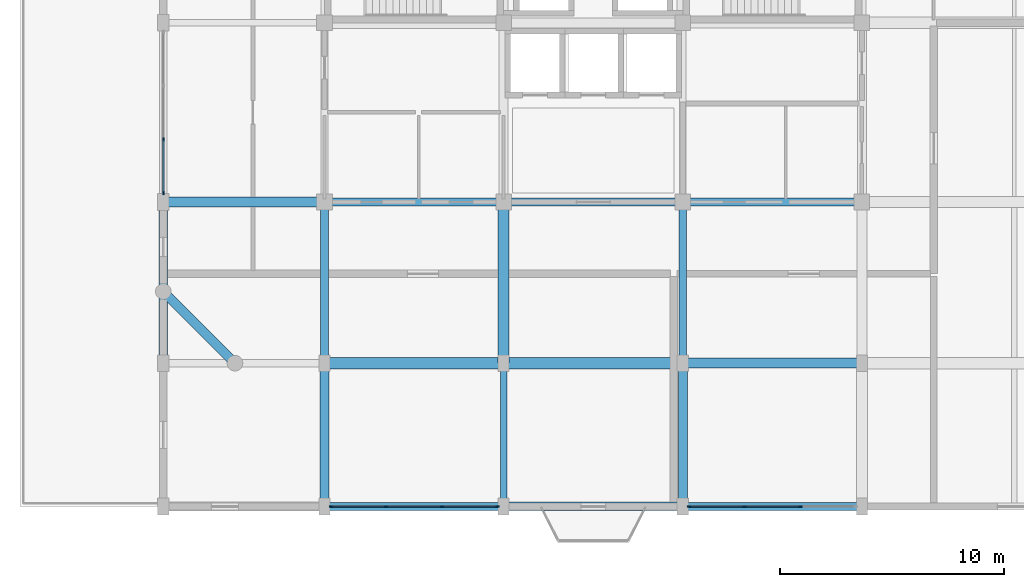
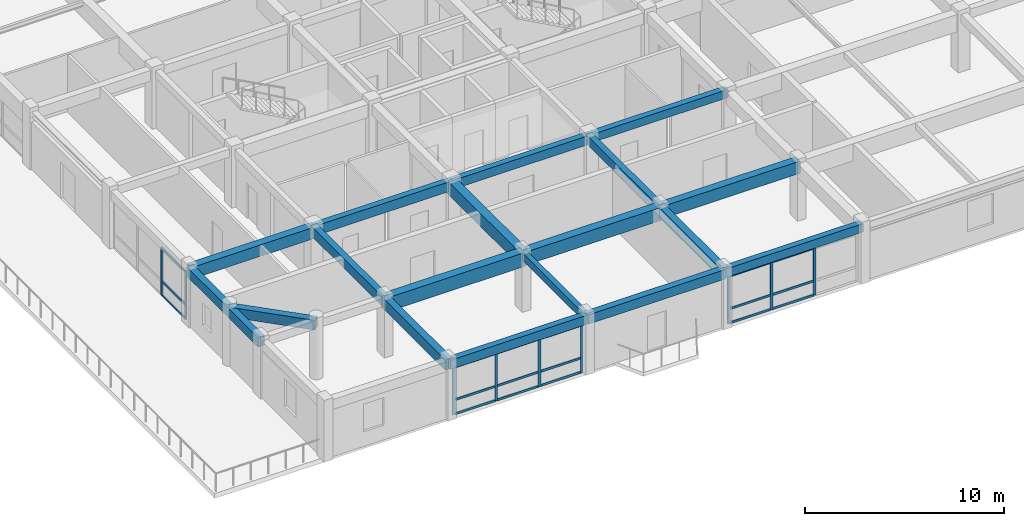
# One storey, part 2 of 13: 27 members, 18 beams, 3 elements without a shape of their own.
"""IFC4 building model written with IfcOpenShell, lengths in metres."""

from ifc_helpers import new_model, si_unit, direction, frame, origin, origin_2d, place, context, subcontext, project, spatial, rectangle, extrude, material, material_profile, profile_set, type_object, element, aggregate, save


model = new_model("IFC4")

# Units and contexts
model_context = context("Model", 3, precision=1e-05, world=origin(), true_north=direction((0.0, 1.0)))
body_context = subcontext(model_context, "Body", "Model", "MODEL_VIEW")
ifc_project = project(units=[si_unit("LENGTHUNIT", "METRE"), si_unit("AREAUNIT", "SQUARE_METRE"), si_unit("VOLUMEUNIT", "CUBIC_METRE"), si_unit("PLANEANGLEUNIT", "RADIAN"), si_unit("MASSUNIT", "GRAM", prefix="KILO")], contexts=[model_context])

# Site, building, storey
site_placement = place(None, origin())
site = spatial("IfcSite", under=ifc_project, at=site_placement, CompositionType="ELEMENT")
building_placement = place(site_placement, origin())
building = spatial("IfcBuilding", under=site, at=building_placement, Name="Vellmiral Cinema and Media Centre", CompositionType="ELEMENT")
storey_placement = place(building_placement, frame((0.0, 0.0, 39.5)))
storey = spatial("IfcBuildingStorey", under=building, at=storey_placement, Name="L09", CompositionType="ELEMENT", Elevation=39.5)

# Beams
ifc_material_1 = material(Name="Concrete C40/50", Category="concrete")
ifc_material_profile_1 = material_profile(ifc_material_1, rectangle(XDim=0.300048828125, YDim=0.449951171875, at=origin_2d()), Name="RC 300x450")
ifc_profile_set_1 = profile_set([ifc_material_profile_1], Name="Concrete C40/50")
beam_type_1 = type_object("IfcBeamType", Name="BM-RC-300x450", PredefinedType="BEAM", material=ifc_profile_set_1)
beam_1_placement = place(storey_placement, frame((132.0, 65.60009765625, 3.31005859375), z_axis=(0.0, 1.0, 0.0), x_axis=(-1.0, 0.0, 0.0)))
element("IfcBeam", 1, at=beam_1_placement, inside=storey, type_object=beam_type_1, Name="Grid Beam L09-Y054", PredefinedType="BEAM", context=body_context, shape_type="SweptSolid", body=[
    extrude(rectangle(XDim=0.300048828125, YDim=0.449951171875, at=origin_2d()), origin(), (0.0, 0.0, 1.0), 6.39990234375),
])
ifc_material_2 = material(Name="Concrete C40/50", Category="concrete")
ifc_material_profile_2 = material_profile(ifc_material_2, rectangle(XDim=0.35009765625, YDim=0.5, at=origin_2d()), Name="RC 350x500")
ifc_profile_set_2 = profile_set([ifc_material_profile_2], Name="Concrete C40/50")
beam_type_2 = type_object("IfcBeamType", Name="BM-RC-350x500", PredefinedType="BEAM", material=ifc_profile_set_2)
beam_2_placement = place(storey_placement, frame((140.0, 79.199951171875, 3.284912109375), z_axis=(1.0, 0.0, 0.0), x_axis=(0.0, 1.0, 0.0)))
element("IfcBeam", 2, at=beam_2_placement, inside=storey, type_object=beam_type_2, Name="Grid Beam L09-X016", PredefinedType="BEAM", context=body_context, shape_type="SweptSolid", body=[
    extrude(rectangle(XDim=0.35009765625, YDim=0.5, at=origin_2d()), origin(), (0.0, 0.0, 1.0), 8.0),
])
ifc_material_3 = material(Name="Concrete C40/50", Category="concrete")
ifc_material_profile_3 = material_profile(ifc_material_3, rectangle(XDim=0.35009765625, YDim=0.550048828125, at=origin_2d()), Name="RC 350x550")
ifc_profile_set_3 = profile_set([ifc_material_profile_3], Name="Concrete C40/50")
beam_type_3 = type_object("IfcBeamType", Name="BM-RC-350x550", PredefinedType="BEAM", material=ifc_profile_set_3)
beam_3_placement = place(storey_placement, frame((132.0, 79.199951171875, 3.260009765625), z_axis=(1.0, 0.0, 0.0), x_axis=(0.0, 1.0, 0.0)))
element("IfcBeam", 3, at=beam_3_placement, inside=storey, type_object=beam_type_3, Name="Grid Beam L09-X015", PredefinedType="BEAM", context=body_context, shape_type="SweptSolid", body=[
    extrude(rectangle(XDim=0.35009765625, YDim=0.550048828125, at=origin_2d()), origin(), (0.0, 0.0, 1.0), 8.0),
])
beam_4_placement = place(storey_placement, frame((140.0, 72.0, 3.260009765625), z_axis=(0.0, 1.0, 0.0), x_axis=(-1.0, 0.0, 0.0)))
element("IfcBeam", 4, at=beam_4_placement, inside=storey, type_object=beam_type_3, Name="Grid Beam L09-Y061", PredefinedType="BEAM", context=body_context, shape_type="SweptSolid", body=[
    extrude(rectangle(XDim=0.35009765625, YDim=0.550048828125, at=origin_2d()), origin(), (0.0, 0.0, 1.0), 7.199951171875),
])
ifc_material_4 = material(Name="Concrete C40/50", Category="concrete")
ifc_material_profile_4 = material_profile(ifc_material_4, rectangle(XDim=0.35009765625, YDim=0.60009765625, at=origin_2d()), Name="RC 350x600")
ifc_profile_set_4 = profile_set([ifc_material_profile_4], Name="Concrete C40/50")
beam_type_4 = type_object("IfcBeamType", Name="BM-RC-350x600", PredefinedType="BEAM", material=ifc_profile_set_4)
beam_5_placement = place(storey_placement, frame((124.0, 79.199951171875, 3.235107421875), z_axis=(1.0, 0.0, 0.0), x_axis=(0.0, 1.0, 0.0)))
element("IfcBeam", 5, at=beam_5_placement, inside=storey, type_object=beam_type_4, Name="Grid Beam L09-X014", PredefinedType="BEAM", context=body_context, shape_type="SweptSolid", body=[
    extrude(rectangle(XDim=0.35009765625, YDim=0.60009765625, at=origin_2d()), origin(), (0.0, 0.0, 1.0), 8.0),
])
beam_6_placement = place(storey_placement, frame((124.0, 72.0, 3.235107421875), z_axis=(0.0, 1.0, 0.0), x_axis=(-1.0, 0.0, 0.0)))
element("IfcBeam", 6, at=beam_6_placement, inside=storey, type_object=beam_type_4, Name="Grid Beam L09-Y049", PredefinedType="BEAM", context=body_context, shape_type="SweptSolid", body=[
    extrude(rectangle(XDim=0.35009765625, YDim=0.60009765625, at=origin_2d()), origin(), (0.0, 0.0, 1.0), 7.199951171875),
])
ifc_material_5 = material(Name="Concrete C40/50", Category="concrete")
ifc_material_profile_5 = material_profile(ifc_material_5, rectangle(XDim=0.39990234375, YDim=0.60009765625, at=origin_2d()), Name="RC 400x600")
ifc_profile_set_5 = profile_set([ifc_material_profile_5], Name="Concrete C40/50")
beam_type_5 = type_object("IfcBeamType", Name="BM-RC-400x600", PredefinedType="BEAM", material=ifc_profile_set_5)
beam_7_placement = place(storey_placement, frame((140.0, 65.60009765625, 3.235107421875), z_axis=(0.0, 1.0, 0.0), x_axis=(-1.0, 0.0, 0.0)))
element("IfcBeam", 7, at=beam_7_placement, inside=storey, type_object=beam_type_5, Name="Grid Beam L09-Y060", PredefinedType="BEAM", context=body_context, shape_type="SweptSolid", body=[
    extrude(rectangle(XDim=0.39990234375, YDim=0.60009765625, at=origin_2d()), origin(), (0.0, 0.0, 1.0), 6.39990234375),
])
ifc_material_6 = material(Name="Concrete C40/50", Category="concrete")
ifc_material_profile_6 = material_profile(ifc_material_6, rectangle(XDim=0.39990234375, YDim=0.64990234375, at=origin_2d()), Name="RC 400x650")
ifc_profile_set_6 = profile_set([ifc_material_profile_6], Name="Concrete C40/50")
beam_type_6 = type_object("IfcBeamType", Name="BM-RC-400x650", PredefinedType="BEAM", material=ifc_profile_set_6)
beam_8_placement = place(storey_placement, frame((124.0, 65.60009765625, 3.2099609375), z_axis=(0.0, 1.0, 0.0), x_axis=(-1.0, 0.0, 0.0)))
element("IfcBeam", 8, at=beam_8_placement, inside=storey, type_object=beam_type_6, Name="Grid Beam L09-Y048", PredefinedType="BEAM", context=body_context, shape_type="SweptSolid", body=[
    extrude(rectangle(XDim=0.39990234375, YDim=0.64990234375, at=origin_2d()), origin(), (0.0, 0.0, 1.0), 6.39990234375),
])
ifc_material_7 = material(Name="Concrete C40/50", Category="concrete")
ifc_material_profile_7 = material_profile(ifc_material_7, rectangle(XDim=0.449951171875, YDim=0.699951171875, at=origin_2d()), Name="RC 450x700")
ifc_profile_set_7 = profile_set([ifc_material_profile_7], Name="Concrete C40/50")
beam_type_7 = type_object("IfcBeamType", Name="BM-RC-450x700", PredefinedType="BEAM", material=ifc_profile_set_7)
beam_9_placement = place(storey_placement, frame((116.800048828125, 79.199951171875, 3.18505859375), z_axis=(1.0, 0.0, 0.0), x_axis=(0.0, 1.0, 0.0)))
element("IfcBeam", 9, at=beam_9_placement, inside=storey, type_object=beam_type_7, Name="Grid Beam L09-X013", PredefinedType="BEAM", context=body_context, shape_type="SweptSolid", body=[
    extrude(rectangle(XDim=0.449951171875, YDim=0.699951171875, at=origin_2d()), origin(), (0.0, 0.0, 1.0), 7.199951171875),
])
ifc_material_8 = material(Name="Concrete C40/50", Category="concrete")
ifc_material_profile_8 = material_profile(ifc_material_8, rectangle(XDim=0.449951171875, YDim=0.75, at=origin_2d()), Name="RC 450x750")
ifc_profile_set_8 = profile_set([ifc_material_profile_8], Name="Concrete C40/50")
beam_type_8 = type_object("IfcBeamType", Name="BM-RC-450x750", PredefinedType="BEAM", material=ifc_profile_set_8)
beam_10_placement = place(storey_placement, frame((140.0, 72.0, 3.159912109375), z_axis=(1.0, 0.0, 0.0), x_axis=(0.0, 1.0, 0.0)))
element("IfcBeam", 10, at=beam_10_placement, inside=storey, type_object=beam_type_8, Name="Grid Beam L09-X010", PredefinedType="BEAM", context=body_context, shape_type="SweptSolid", body=[
    extrude(rectangle(XDim=0.449951171875, YDim=0.75, at=origin_2d()), origin(), (0.0, 0.0, 1.0), 8.0),
])
ifc_material_9 = material(Name="Concrete C40/50", Category="concrete")
ifc_material_profile_9 = material_profile(ifc_material_9, rectangle(XDim=0.5, YDim=0.800048828125, at=origin_2d()), Name="RC 500x800")
ifc_profile_set_9 = profile_set([ifc_material_profile_9], Name="Concrete C40/50")
beam_type_9 = type_object("IfcBeamType", Name="BM-RC-500x800", PredefinedType="BEAM", material=ifc_profile_set_9)
beam_11_placement = place(storey_placement, frame((132.0, 72.0, 3.135009765625), z_axis=(1.0, 0.0, 0.0), x_axis=(0.0, 1.0, 0.0)))
element("IfcBeam", 11, at=beam_11_placement, inside=storey, type_object=beam_type_9, Name="Grid Beam L09-X009", PredefinedType="BEAM", context=body_context, shape_type="SweptSolid", body=[
    extrude(rectangle(XDim=0.5, YDim=0.800048828125, at=origin_2d()), origin(), (0.0, 0.0, 1.0), 8.0),
])
beam_12_placement = place(storey_placement, frame((132.0, 72.0, 3.135009765625), z_axis=(0.0, 1.0, 0.0), x_axis=(-1.0, 0.0, 0.0)))
element("IfcBeam", 12, at=beam_12_placement, inside=storey, type_object=beam_type_9, Name="Grid Beam L09-Y055", PredefinedType="BEAM", context=body_context, shape_type="SweptSolid", body=[
    extrude(rectangle(XDim=0.5, YDim=0.800048828125, at=origin_2d()), origin(), (0.0, 0.0, 1.0), 7.199951171875),
])
ifc_material_10 = material(Name="Concrete C40/50", Category="concrete")
ifc_material_profile_10 = material_profile(ifc_material_10, rectangle(XDim=0.5, YDim=0.85009765625, at=origin_2d()), Name="RC 500x850")
ifc_profile_set_10 = profile_set([ifc_material_profile_10], Name="Concrete C40/50")
beam_type_10 = type_object("IfcBeamType", Name="BM-RC-500x850", PredefinedType="BEAM", material=ifc_profile_set_10)
beam_13_placement = place(storey_placement, frame((124.0, 72.0, 3.110107421875), z_axis=(1.0, 0.0, 0.0), x_axis=(0.0, 1.0, 0.0)))
element("IfcBeam", 13, at=beam_13_placement, inside=storey, type_object=beam_type_10, Name="Grid Beam L09-X008", PredefinedType="BEAM", context=body_context, shape_type="SweptSolid", body=[
    extrude(rectangle(XDim=0.5, YDim=0.85009765625, at=origin_2d()), origin(), (0.0, 0.0, 1.0), 8.0),
])

# Curtain wall, members
ifc_material_11 = material(Name="Thermally Broken Aluminium and Triple Glazing", Category="aluminium")
curtain_wall_type_1 = type_object("IfcCurtainWallType", Name="CW-TOWER-MID-E", PredefinedType="USERDEFINED", material=ifc_material_11)
curtain_wall_1_placement = place(storey_placement, origin())
curtain_wall_1 = element("IfcCurtainWall", 14, at=curtain_wall_1_placement, inside=storey, type_object=curtain_wall_type_1, Name="Curtain Wall L09-B002", ObjectType="UNITISED CURTAIN WALL", PredefinedType="USERDEFINED")
ifc_material_12 = material(Name="Thermally Broken Anodised Aluminium", Category="aluminium")
ifc_material_profile_11 = material_profile(ifc_material_12, rectangle(XDim=0.06494140625, YDim=0.159912109375, at=origin_2d()), Name="MULL 65x160")
ifc_profile_set_11 = profile_set([ifc_material_profile_11], Name="Thermally Broken Anodised Aluminium")
member_type_1 = type_object("IfcMemberType", Name="CWM-65x160", PredefinedType="MULLION", material=ifc_profile_set_11)
member_1_placement = place(storey_placement, frame((124.282470703125, 65.60009765625, 0.0), z_axis=(0.0, 0.0, 1.0), x_axis=(0.0, 1.0, 0.0)))
member_1 = element("IfcMember", 15, at=member_1_placement, type_object=member_type_1, Name="CW-07 mullion 1", PredefinedType="MULLION", context=body_context, shape_type="SweptSolid", body=[
    extrude(rectangle(XDim=0.06494140625, YDim=0.159912109375, at=origin_2d()), origin(), (0.0, 0.0, 1.0), 2.93994140625),
])
member_2_placement = place(storey_placement, frame((126.75, 65.60009765625, 0.0), z_axis=(0.0, 0.0, 1.0), x_axis=(0.0, 1.0, 0.0)))
member_2 = element("IfcMember", 16, at=member_2_placement, type_object=member_type_1, Name="CW-07 mullion 2", PredefinedType="MULLION", context=body_context, shape_type="SweptSolid", body=[
    extrude(rectangle(XDim=0.06494140625, YDim=0.159912109375, at=origin_2d()), origin(), (0.0, 0.0, 1.0), 2.93994140625),
])
member_3_placement = place(storey_placement, frame((129.25, 65.60009765625, 0.0), z_axis=(0.0, 0.0, 1.0), x_axis=(0.0, 1.0, 0.0)))
member_3 = element("IfcMember", 17, at=member_3_placement, type_object=member_type_1, Name="CW-07 mullion 3", PredefinedType="MULLION", context=body_context, shape_type="SweptSolid", body=[
    extrude(rectangle(XDim=0.06494140625, YDim=0.159912109375, at=origin_2d()), origin(), (0.0, 0.0, 1.0), 2.93994140625),
])
member_4_placement = place(storey_placement, frame((131.717529296875, 65.60009765625, 0.0), z_axis=(0.0, 0.0, 1.0), x_axis=(0.0, 1.0, 0.0)))
member_4 = element("IfcMember", 18, at=member_4_placement, type_object=member_type_1, Name="CW-07 mullion 4", PredefinedType="MULLION", context=body_context, shape_type="SweptSolid", body=[
    extrude(rectangle(XDim=0.06494140625, YDim=0.159912109375, at=origin_2d()), origin(), (0.0, 0.0, 1.0), 2.93994140625),
])

curtain_wall_2_placement = place(storey_placement, origin())
curtain_wall_2 = element("IfcCurtainWall", 19, at=curtain_wall_2_placement, inside=storey, type_object=curtain_wall_type_1, Name="Curtain Wall L09-B004", ObjectType="UNITISED CURTAIN WALL", PredefinedType="USERDEFINED")
member_5_placement = place(storey_placement, frame((140.282470703125, 65.60009765625, 0.0), z_axis=(0.0, 0.0, 1.0), x_axis=(0.0, 1.0, 0.0)))
member_5 = element("IfcMember", 20, at=member_5_placement, type_object=member_type_1, Name="CW-07 mullion 1", PredefinedType="MULLION", context=body_context, shape_type="SweptSolid", body=[
    extrude(rectangle(XDim=0.06494140625, YDim=0.159912109375, at=origin_2d()), origin(), (0.0, 0.0, 1.0), 2.93994140625),
])
member_6_placement = place(storey_placement, frame((142.75, 65.60009765625, 0.0), z_axis=(0.0, 0.0, 1.0), x_axis=(0.0, 1.0, 0.0)))
member_6 = element("IfcMember", 21, at=member_6_placement, type_object=member_type_1, Name="CW-07 mullion 2", PredefinedType="MULLION", context=body_context, shape_type="SweptSolid", body=[
    extrude(rectangle(XDim=0.06494140625, YDim=0.159912109375, at=origin_2d()), origin(), (0.0, 0.0, 1.0), 2.93994140625),
])
member_7_placement = place(storey_placement, frame((145.25, 65.60009765625, 0.0), z_axis=(0.0, 0.0, 1.0), x_axis=(0.0, 1.0, 0.0)))
member_7 = element("IfcMember", 22, at=member_7_placement, type_object=member_type_1, Name="CW-07 mullion 3", PredefinedType="MULLION", context=body_context, shape_type="SweptSolid", body=[
    extrude(rectangle(XDim=0.06494140625, YDim=0.159912109375, at=origin_2d()), origin(), (0.0, 0.0, 1.0), 2.93994140625),
])

ifc_material_13 = material(Name="Thermally Broken Aluminium and Triple Glazing", Category="aluminium")
curtain_wall_type_2 = type_object("IfcCurtainWallType", Name="CW-TOWER-MID-W", PredefinedType="USERDEFINED", material=ifc_material_13)
curtain_wall_3_placement = place(storey_placement, origin())
curtain_wall_3 = element("IfcCurtainWall", 23, at=curtain_wall_3_placement, inside=storey, type_object=curtain_wall_type_2, Name="Curtain Wall L09-B026", ObjectType="UNITISED CURTAIN WALL", PredefinedType="USERDEFINED")
member_8_placement = place(storey_placement, frame((116.800048828125, 81.99169921875, 0.0), z_axis=(0.0, 0.0, 1.0), x_axis=(1.0, 0.0, 0.0)))
member_8 = element("IfcMember", 24, at=member_8_placement, type_object=member_type_1, Name="CW-08 mullion 3", PredefinedType="MULLION", context=body_context, shape_type="SweptSolid", body=[
    extrude(rectangle(XDim=0.06494140625, YDim=0.159912109375, at=origin_2d()), origin(), (0.0, 0.0, 1.0), 2.93994140625),
])
member_9_placement = place(storey_placement, frame((116.800048828125, 79.607421875, 0.0), z_axis=(0.0, 0.0, 1.0), x_axis=(1.0, 0.0, 0.0)))
member_9 = element("IfcMember", 25, at=member_9_placement, type_object=member_type_1, Name="CW-08 mullion 4", PredefinedType="MULLION", context=body_context, shape_type="SweptSolid", body=[
    extrude(rectangle(XDim=0.06494140625, YDim=0.159912109375, at=origin_2d()), origin(), (0.0, 0.0, 1.0), 2.93994140625),
])

# Member
ifc_material_14 = material(Name="Thermally Broken Anodised Aluminium", Category="aluminium")
ifc_material_profile_12 = material_profile(ifc_material_14, rectangle(XDim=0.06494140625, YDim=0.135009765625, at=origin_2d()), Name="MULL 65x135")
ifc_profile_set_12 = profile_set([ifc_material_profile_12], Name="Thermally Broken Anodised Aluminium")
member_type_2 = type_object("IfcMemberType", Name="CWT-65x135", PredefinedType="USERDEFINED", material=ifc_profile_set_12)
member_10_placement = place(storey_placement, frame((124.31494140625, 65.60009765625, 0.032470703125), z_axis=(1.0, 0.0, 0.0), x_axis=(0.0, 1.0, 0.0)))
member_10 = element("IfcMember", 26, at=member_10_placement, type_object=member_type_2, Name="CW-07 transom 1.1", ObjectType="TRANSOM", PredefinedType="USERDEFINED", context=body_context, shape_type="SweptSolid", body=[
    extrude(rectangle(XDim=0.06494140625, YDim=0.135009765625, at=origin_2d()), origin(), (0.0, 0.0, 1.0), 2.402587890625),
])

member_11_placement = place(storey_placement, frame((124.31494140625, 65.60009765625, 0.89990234375), z_axis=(1.0, 0.0, 0.0), x_axis=(0.0, 1.0, 0.0)))
member_11 = element("IfcMember", 27, at=member_11_placement, type_object=member_type_2, Name="CW-07 transom 1.2", ObjectType="TRANSOM", PredefinedType="USERDEFINED", context=body_context, shape_type="SweptSolid", body=[
    extrude(rectangle(XDim=0.06494140625, YDim=0.135009765625, at=origin_2d()), origin(), (0.0, 0.0, 1.0), 2.402587890625),
])

member_12_placement = place(storey_placement, frame((124.31494140625, 65.60009765625, 2.907470703125), z_axis=(1.0, 0.0, 0.0), x_axis=(0.0, 1.0, 0.0)))
member_12 = element("IfcMember", 28, at=member_12_placement, type_object=member_type_2, Name="CW-07 transom 1.3", ObjectType="TRANSOM", PredefinedType="USERDEFINED", context=body_context, shape_type="SweptSolid", body=[
    extrude(rectangle(XDim=0.06494140625, YDim=0.135009765625, at=origin_2d()), origin(), (0.0, 0.0, 1.0), 2.402587890625),
])

member_13_placement = place(storey_placement, frame((126.782470703125, 65.60009765625, 0.032470703125), z_axis=(1.0, 0.0, 0.0), x_axis=(0.0, 1.0, 0.0)))
member_13 = element("IfcMember", 29, at=member_13_placement, type_object=member_type_2, Name="CW-07 transom 2.1", ObjectType="TRANSOM", PredefinedType="USERDEFINED", context=body_context, shape_type="SweptSolid", body=[
    extrude(rectangle(XDim=0.06494140625, YDim=0.135009765625, at=origin_2d()), origin(), (0.0, 0.0, 1.0), 2.43505859375),
])

member_14_placement = place(storey_placement, frame((126.782470703125, 65.60009765625, 0.89990234375), z_axis=(1.0, 0.0, 0.0), x_axis=(0.0, 1.0, 0.0)))
member_14 = element("IfcMember", 30, at=member_14_placement, type_object=member_type_2, Name="CW-07 transom 2.2", ObjectType="TRANSOM", PredefinedType="USERDEFINED", context=body_context, shape_type="SweptSolid", body=[
    extrude(rectangle(XDim=0.06494140625, YDim=0.135009765625, at=origin_2d()), origin(), (0.0, 0.0, 1.0), 2.43505859375),
])

member_15_placement = place(storey_placement, frame((126.782470703125, 65.60009765625, 2.907470703125), z_axis=(1.0, 0.0, 0.0), x_axis=(0.0, 1.0, 0.0)))
member_15 = element("IfcMember", 31, at=member_15_placement, type_object=member_type_2, Name="CW-07 transom 2.3", ObjectType="TRANSOM", PredefinedType="USERDEFINED", context=body_context, shape_type="SweptSolid", body=[
    extrude(rectangle(XDim=0.06494140625, YDim=0.135009765625, at=origin_2d()), origin(), (0.0, 0.0, 1.0), 2.43505859375),
])

member_16_placement = place(storey_placement, frame((129.282470703125, 65.60009765625, 0.032470703125), z_axis=(1.0, 0.0, 0.0), x_axis=(0.0, 1.0, 0.0)))
member_16 = element("IfcMember", 32, at=member_16_placement, type_object=member_type_2, Name="CW-07 transom 3.1", ObjectType="TRANSOM", PredefinedType="USERDEFINED", context=body_context, shape_type="SweptSolid", body=[
    extrude(rectangle(XDim=0.06494140625, YDim=0.135009765625, at=origin_2d()), origin(), (0.0, 0.0, 1.0), 2.402587890625),
])

member_17_placement = place(storey_placement, frame((129.282470703125, 65.60009765625, 0.89990234375), z_axis=(1.0, 0.0, 0.0), x_axis=(0.0, 1.0, 0.0)))
member_17 = element("IfcMember", 33, at=member_17_placement, type_object=member_type_2, Name="CW-07 transom 3.2", ObjectType="TRANSOM", PredefinedType="USERDEFINED", context=body_context, shape_type="SweptSolid", body=[
    extrude(rectangle(XDim=0.06494140625, YDim=0.135009765625, at=origin_2d()), origin(), (0.0, 0.0, 1.0), 2.402587890625),
])

member_18_placement = place(storey_placement, frame((129.282470703125, 65.60009765625, 2.907470703125), z_axis=(1.0, 0.0, 0.0), x_axis=(0.0, 1.0, 0.0)))
member_18 = element("IfcMember", 34, at=member_18_placement, type_object=member_type_2, Name="CW-07 transom 3.3", ObjectType="TRANSOM", PredefinedType="USERDEFINED", context=body_context, shape_type="SweptSolid", body=[
    extrude(rectangle(XDim=0.06494140625, YDim=0.135009765625, at=origin_2d()), origin(), (0.0, 0.0, 1.0), 2.402587890625),
])

aggregate(curtain_wall_1, [member_1, member_2, member_3, member_4, member_10, member_11, member_12, member_13, member_14, member_15, member_16, member_17, member_18])

member_19_placement = place(storey_placement, frame((140.31494140625, 65.60009765625, 0.032470703125), z_axis=(1.0, 0.0, 0.0), x_axis=(0.0, 1.0, 0.0)))
member_19 = element("IfcMember", 35, at=member_19_placement, type_object=member_type_2, Name="CW-07 transom 1.1", ObjectType="TRANSOM", PredefinedType="USERDEFINED", context=body_context, shape_type="SweptSolid", body=[
    extrude(rectangle(XDim=0.06494140625, YDim=0.135009765625, at=origin_2d()), origin(), (0.0, 0.0, 1.0), 2.402587890625),
])

member_20_placement = place(storey_placement, frame((140.31494140625, 65.60009765625, 0.89990234375), z_axis=(1.0, 0.0, 0.0), x_axis=(0.0, 1.0, 0.0)))
member_20 = element("IfcMember", 36, at=member_20_placement, type_object=member_type_2, Name="CW-07 transom 1.2", ObjectType="TRANSOM", PredefinedType="USERDEFINED", context=body_context, shape_type="SweptSolid", body=[
    extrude(rectangle(XDim=0.06494140625, YDim=0.135009765625, at=origin_2d()), origin(), (0.0, 0.0, 1.0), 2.402587890625),
])

member_21_placement = place(storey_placement, frame((140.31494140625, 65.60009765625, 2.907470703125), z_axis=(1.0, 0.0, 0.0), x_axis=(0.0, 1.0, 0.0)))
member_21 = element("IfcMember", 37, at=member_21_placement, type_object=member_type_2, Name="CW-07 transom 1.3", ObjectType="TRANSOM", PredefinedType="USERDEFINED", context=body_context, shape_type="SweptSolid", body=[
    extrude(rectangle(XDim=0.06494140625, YDim=0.135009765625, at=origin_2d()), origin(), (0.0, 0.0, 1.0), 2.402587890625),
])

member_22_placement = place(storey_placement, frame((142.782470703125, 65.60009765625, 0.032470703125), z_axis=(1.0, 0.0, 0.0), x_axis=(0.0, 1.0, 0.0)))
member_22 = element("IfcMember", 38, at=member_22_placement, type_object=member_type_2, Name="CW-07 transom 2.1", ObjectType="TRANSOM", PredefinedType="USERDEFINED", context=body_context, shape_type="SweptSolid", body=[
    extrude(rectangle(XDim=0.06494140625, YDim=0.135009765625, at=origin_2d()), origin(), (0.0, 0.0, 1.0), 2.43505859375),
])

member_23_placement = place(storey_placement, frame((142.782470703125, 65.60009765625, 0.89990234375), z_axis=(1.0, 0.0, 0.0), x_axis=(0.0, 1.0, 0.0)))
member_23 = element("IfcMember", 39, at=member_23_placement, type_object=member_type_2, Name="CW-07 transom 2.2", ObjectType="TRANSOM", PredefinedType="USERDEFINED", context=body_context, shape_type="SweptSolid", body=[
    extrude(rectangle(XDim=0.06494140625, YDim=0.135009765625, at=origin_2d()), origin(), (0.0, 0.0, 1.0), 2.43505859375),
])

member_24_placement = place(storey_placement, frame((142.782470703125, 65.60009765625, 2.907470703125), z_axis=(1.0, 0.0, 0.0), x_axis=(0.0, 1.0, 0.0)))
member_24 = element("IfcMember", 40, at=member_24_placement, type_object=member_type_2, Name="CW-07 transom 2.3", ObjectType="TRANSOM", PredefinedType="USERDEFINED", context=body_context, shape_type="SweptSolid", body=[
    extrude(rectangle(XDim=0.06494140625, YDim=0.135009765625, at=origin_2d()), origin(), (0.0, 0.0, 1.0), 2.43505859375),
])

aggregate(curtain_wall_2, [member_5, member_6, member_7, member_19, member_20, member_21, member_22, member_23, member_24])

member_25_placement = place(storey_placement, frame((116.800048828125, 81.959228515625, 0.032470703125), z_axis=(0.0, -1.0, 0.0), x_axis=(1.0, 0.0, 0.0)))
member_25 = element("IfcMember", 41, at=member_25_placement, type_object=member_type_2, Name="CW-08 transom 3.1", ObjectType="TRANSOM", PredefinedType="USERDEFINED", context=body_context, shape_type="SweptSolid", body=[
    extrude(rectangle(XDim=0.06494140625, YDim=0.135009765625, at=origin_2d()), origin(), (0.0, 0.0, 1.0), 2.3193359375),
])

member_26_placement = place(storey_placement, frame((116.800048828125, 81.959228515625, 0.89990234375), z_axis=(0.0, -1.0, 0.0), x_axis=(1.0, 0.0, 0.0)))
member_26 = element("IfcMember", 42, at=member_26_placement, type_object=member_type_2, Name="CW-08 transom 3.2", ObjectType="TRANSOM", PredefinedType="USERDEFINED", context=body_context, shape_type="SweptSolid", body=[
    extrude(rectangle(XDim=0.06494140625, YDim=0.135009765625, at=origin_2d()), origin(), (0.0, 0.0, 1.0), 2.3193359375),
])

member_27_placement = place(storey_placement, frame((116.800048828125, 81.959228515625, 2.907470703125), z_axis=(0.0, -1.0, 0.0), x_axis=(1.0, 0.0, 0.0)))
member_27 = element("IfcMember", 43, at=member_27_placement, type_object=member_type_2, Name="CW-08 transom 3.3", ObjectType="TRANSOM", PredefinedType="USERDEFINED", context=body_context, shape_type="SweptSolid", body=[
    extrude(rectangle(XDim=0.06494140625, YDim=0.135009765625, at=origin_2d()), origin(), (0.0, 0.0, 1.0), 2.3193359375),
])

aggregate(curtain_wall_3, [member_8, member_9, member_25, member_26, member_27])

# Beams
ifc_material_15 = material(Name="Concrete C40/50", Category="concrete")
ifc_material_profile_13 = material_profile(ifc_material_15, rectangle(XDim=0.35009765625, YDim=0.56005859375, at=origin_2d()), Name="RC 350x560")
ifc_profile_set_13 = profile_set([ifc_material_profile_13], Name="Concrete C40/50")
beam_type_11 = type_object("IfcBeamType", Name="SPD-RC-350x560", PredefinedType="SPANDREL", material=ifc_profile_set_13)
beam_14_placement = place(storey_placement, frame((124.0, 65.60009765625, 3.2548828125), z_axis=(1.0, 0.0, 0.0), x_axis=(0.0, 1.0, 0.0)))
element("IfcBeam", 44, at=beam_14_placement, inside=storey, type_object=beam_type_11, Name="Grid Beam L09-X002", PredefinedType="SPANDREL", context=body_context, shape_type="SweptSolid", body=[
    extrude(rectangle(XDim=0.35009765625, YDim=0.56005859375, at=origin_2d()), origin(), (0.0, 0.0, 1.0), 8.0),
])
ifc_material_16 = material(Name="Concrete C40/50", Category="concrete")
ifc_material_profile_14 = material_profile(ifc_material_16, rectangle(XDim=0.39990234375, YDim=0.60009765625, at=origin_2d()), Name="RC 400x600")
ifc_profile_set_14 = profile_set([ifc_material_profile_14], Name="Concrete C40/50")
beam_type_12 = type_object("IfcBeamType", Name="SPD-RC-400x600", PredefinedType="SPANDREL", material=ifc_profile_set_14)
beam_15_placement = place(storey_placement, frame((116.800048828125, 75.199951171875, 3.235107421875), z_axis=(0.707106781187, -0.707106781187, 0.0), x_axis=(0.707106781187, 0.707106781187, 0.0)))
element("IfcBeam", 45, at=beam_15_placement, inside=storey, type_object=beam_type_12, Name="Xamfra Chamfer Spandrel Beam L09-083", PredefinedType="SPANDREL", context=body_context, shape_type="SweptSolid", body=[
    extrude(rectangle(XDim=0.39990234375, YDim=0.60009765625, at=origin_2d()), origin(), (0.0, 0.0, 1.0), 4.525390625),
])
ifc_material_17 = material(Name="Vosges Red Sandstone Masonry", Category="masonry")
ifc_material_profile_15 = material_profile(ifc_material_17, rectangle(XDim=0.340087890625, YDim=0.52001953125, at=origin_2d()), Name="SAND 340x520")
ifc_profile_set_15 = profile_set([ifc_material_profile_15], Name="Vosges Red Sandstone Masonry")
beam_type_13 = type_object("IfcBeamType", Name="SPD-SAND-340x520", PredefinedType="SPANDREL", material=ifc_profile_set_15)
beam_16_placement = place(storey_placement, frame((140.0, 65.60009765625, 3.27490234375), z_axis=(1.0, 0.0, 0.0), x_axis=(0.0, 1.0, 0.0)))
element("IfcBeam", 46, at=beam_16_placement, inside=storey, type_object=beam_type_13, Name="Grid Beam L09-X004", PredefinedType="SPANDREL", context=body_context, shape_type="SweptSolid", body=[
    extrude(rectangle(XDim=0.340087890625, YDim=0.52001953125, at=origin_2d()), origin(), (0.0, 0.0, 1.0), 8.0),
])
ifc_material_18 = material(Name="Vosges Red Sandstone Masonry", Category="masonry")
ifc_material_profile_16 = material_profile(ifc_material_18, rectangle(XDim=0.3798828125, YDim=0.580078125, at=origin_2d()), Name="SAND 380x580")
ifc_profile_set_16 = profile_set([ifc_material_profile_16], Name="Vosges Red Sandstone Masonry")
beam_type_14 = type_object("IfcBeamType", Name="SPD-SAND-380x580", PredefinedType="SPANDREL", material=ifc_profile_set_16)
beam_17_placement = place(storey_placement, frame((132.0, 65.60009765625, 3.2451171875), z_axis=(1.0, 0.0, 0.0), x_axis=(0.0, 1.0, 0.0)))
element("IfcBeam", 47, at=beam_17_placement, inside=storey, type_object=beam_type_14, Name="Grid Beam L09-X003", PredefinedType="SPANDREL", context=body_context, shape_type="SweptSolid", body=[
    extrude(rectangle(XDim=0.3798828125, YDim=0.580078125, at=origin_2d()), origin(), (0.0, 0.0, 1.0), 8.0),
])
beam_18_placement = place(storey_placement, frame((116.800048828125, 72.0, 3.2451171875), z_axis=(0.0, 1.0, 0.0), x_axis=(-1.0, 0.0, 0.0)))
element("IfcBeam", 48, at=beam_18_placement, inside=storey, type_object=beam_type_14, Name="Grid Beam L09-Y043", PredefinedType="SPANDREL", context=body_context, shape_type="SweptSolid", body=[
    extrude(rectangle(XDim=0.3798828125, YDim=0.580078125, at=origin_2d()), origin(), (0.0, 0.0, 1.0), 7.199951171875),
])

save(model, "model.ifc")
